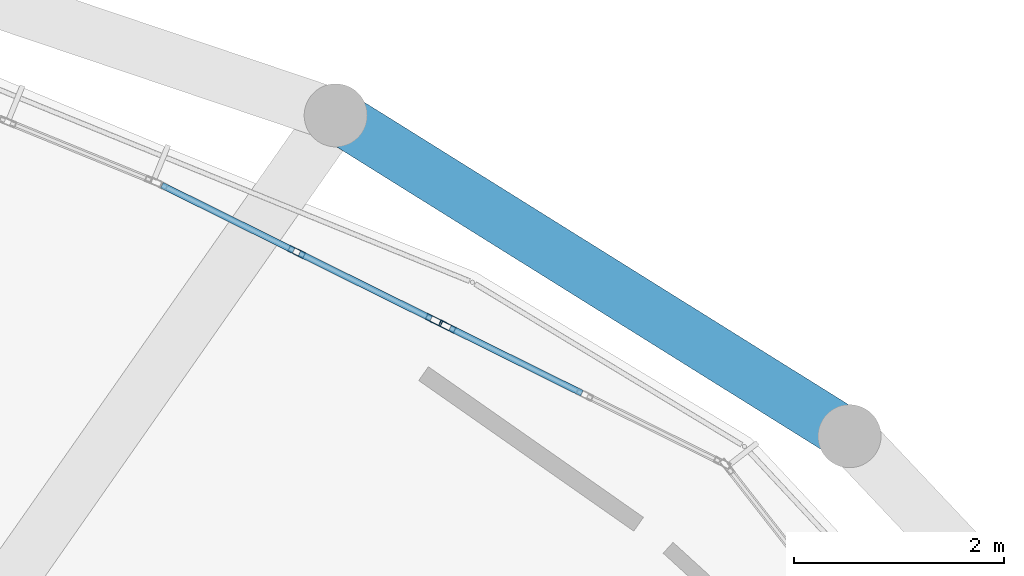
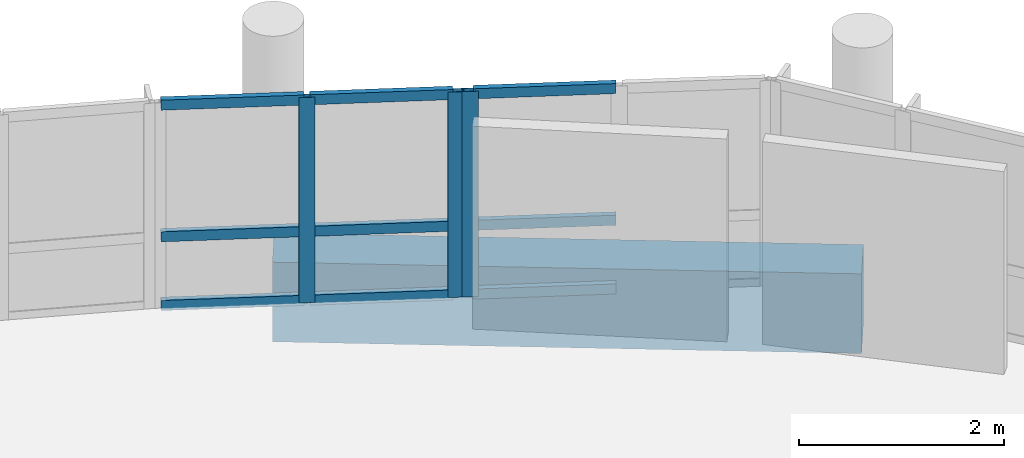
# One storey, part 25 of 43: 12 members, 1 beam, 2 elements without a shape of their own.
"""IFC4 building model written with IfcOpenShell, lengths in metres."""

from ifc_helpers import new_model, si_unit, derived_unit, direction, frame, origin, origin_2d, place, context, subcontext, project, spatial, rectangle, hollow_rectangle, extrude, material, layer, layer_set, material_profile, profile_set, type_object, element, aggregate, save


model = new_model("IFC4")

# Units and contexts
model_context = context("Model", 3, precision=1e-05, world=origin(), true_north=direction((0.0, 1.0)))
body_context = subcontext(model_context, "Body", "Model", "MODEL_VIEW")
ifc_project = project(units=[si_unit("LENGTHUNIT", "METRE"), si_unit("AREAUNIT", "SQUARE_METRE"), si_unit("VOLUMEUNIT", "CUBIC_METRE"), si_unit("PLANEANGLEUNIT", "RADIAN"), si_unit("MASSUNIT", "GRAM", prefix="KILO"), derived_unit("THERMALTRANSMITTANCEUNIT", [(si_unit("POWERUNIT", "WATT"), 1), (si_unit("LENGTHUNIT", "METRE"), -2), (si_unit("THERMODYNAMICTEMPERATUREUNIT", "KELVIN"), -1)])], contexts=[model_context])

# Site, building, storey
site_placement = place(None, origin())
site = spatial("IfcSite", under=ifc_project, at=site_placement, CompositionType="ELEMENT")
building_placement = place(site_placement, origin())
building = spatial("IfcBuilding", under=site, at=building_placement, Name="Elbkamm Science Centre", CompositionType="ELEMENT")
storey_placement = place(building_placement, frame((0.0, 0.0, 18.300048828125)))
storey = spatial("IfcBuildingStorey", under=building, at=storey_placement, Name="L04", CompositionType="ELEMENT", Elevation=18.300048828125)

# Beam
ifc_material_1 = material(Name="Concrete C40/50", Category="concrete")
ifc_material_profile_1 = material_profile(ifc_material_1, rectangle(XDim=0.5, YDim=0.949951171875, at=origin_2d()), Name="RC 500x950")
ifc_profile_set_1 = profile_set([ifc_material_profile_1], Name="Concrete C40/50")
beam_type = type_object("IfcBeamType", Name="BM-RC-500x950", PredefinedType="BEAM", material=ifc_profile_set_1)
beam_placement = place(storey_placement, frame((79.68798828125, 80.77587890625, -0.755126953125), z_axis=(-0.848229099729, 0.529629487824, 0.0), x_axis=(-0.529629487824, -0.848229099729, 0.0)))
element("IfcBeam", 1, at=beam_placement, inside=storey, type_object=beam_type, Name="L04 Elliptical Shell Perimeter Ring Beam 04", PredefinedType="SPANDREL", context=body_context, shape_type="SweptSolid", body=[
    extrude(rectangle(XDim=0.5, YDim=0.949951171875, at=origin_2d()), origin(), (0.0, 0.0, 1.0), 5.762451171875),
])

# Curtain wall, member
ifc_material_2 = material(Name="Powder-coated aluminium and triple low-E glazing", Category="aluminium")
ifc_layer = layer(ifc_material_2, 0.159912109375)
ifc_layer_set = layer_set([ifc_layer], Name="Powder-coated aluminium and triple low-E glazing")
curtain_wall_type = type_object("IfcCurtainWallType", Name="CW-UNIT-2980x2460", PredefinedType="USERDEFINED", material=ifc_layer_set)
curtain_wall_1_placement = place(storey_placement, origin())
curtain_wall_1 = element("IfcCurtainWall", 2, at=curtain_wall_1_placement, inside=storey, type_object=curtain_wall_type, Name="L04 Unitised Curtain Wall 078", ObjectType="UNITISED CURTAIN WALL", PredefinedType="USERDEFINED")
ifc_material_3 = material(Name="Powder-coated aluminium EN AW-6060", Category="aluminium")
ifc_material_profile_2 = material_profile(ifc_material_3, hollow_rectangle(XDim=0.06005859375, YDim=0.159912109375, WallThickness=0.00390625, at=origin_2d()), Name="ALU M60x160")
ifc_profile_set_2 = profile_set([ifc_material_profile_2], Name="Powder-coated aluminium EN AW-6060")
member_type_1 = type_object("IfcMemberType", Name="CW-MUL-60x160", PredefinedType="MULLION", material=ifc_profile_set_2)
member_1_placement = place(storey_placement, frame((75.861328125, 81.818359375, 0.0), z_axis=(0.0, 0.0, 1.0), x_axis=(-0.443839909102, -0.896106095888, 0.0)))
member_1 = element("IfcMember", 3, at=member_1_placement, type_object=member_type_1, Name="CW-035 mullion 3", PredefinedType="MULLION", context=body_context, shape_type="SweptSolid", body=[
    extrude(hollow_rectangle(XDim=0.06005859375, YDim=0.159912109375, WallThickness=0.00390625, at=origin_2d()), origin(), (0.0, 0.0, 1.0), 2.449951171875),
])

# Curtain wall, members
curtain_wall_2_placement = place(storey_placement, origin())
curtain_wall_2 = element("IfcCurtainWall", 4, at=curtain_wall_2_placement, inside=storey, type_object=curtain_wall_type, Name="L04 Unitised Curtain Wall 079", ObjectType="UNITISED CURTAIN WALL", PredefinedType="USERDEFINED")
member_2_placement = place(storey_placement, frame((75.73583984375, 81.880615234375, 0.0), z_axis=(0.0, 0.0, 1.0), x_axis=(-0.443839909102, -0.896106095888, 0.0)))
member_2 = element("IfcMember", 5, at=member_2_placement, type_object=member_type_1, Name="CW-035 mullion 1", PredefinedType="MULLION", context=body_context, shape_type="SweptSolid", body=[
    extrude(hollow_rectangle(XDim=0.06005859375, YDim=0.159912109375, WallThickness=0.00390625, at=origin_2d()), origin(), (0.0, 0.0, 1.0), 2.449951171875),
])
member_3_placement = place(storey_placement, frame((74.427978515625, 82.5283203125, 0.0), z_axis=(0.0, 0.0, 1.0), x_axis=(-0.443839909102, -0.896106095888, 0.0)))
member_3 = element("IfcMember", 6, at=member_3_placement, type_object=member_type_1, Name="CW-035 mullion 2", PredefinedType="MULLION", context=body_context, shape_type="SweptSolid", body=[
    extrude(hollow_rectangle(XDim=0.06005859375, YDim=0.159912109375, WallThickness=0.00390625, at=origin_2d()), origin(), (0.0, 0.0, 1.0), 2.449951171875),
])

# Member
ifc_material_profile_3 = material_profile(ifc_material_3, hollow_rectangle(XDim=0.06005859375, YDim=0.1201171875, WallThickness=0.00341796875, at=origin_2d()), Name="ALU T60x120")
ifc_profile_set_3 = profile_set([ifc_material_profile_3], Name="Powder-coated aluminium EN AW-6060")
member_type_2 = type_object("IfcMemberType", Name="CW-TRN-60x120", PredefinedType="USERDEFINED", material=ifc_profile_set_3)
member_4_placement = place(storey_placement, frame((77.14208984375, 81.18408203125, 0.030029296875), z_axis=(-0.896095863357, 0.443860567831, 0.0), x_axis=(-0.443860567831, -0.896095863357, 0.0)))
member_4 = element("IfcMember", 7, at=member_4_placement, type_object=member_type_2, Name="CW-035 transom 2.1", ObjectType="TRANSOM", PredefinedType="USERDEFINED", context=body_context, shape_type="SweptSolid", body=[
    extrude(hollow_rectangle(XDim=0.06005859375, YDim=0.1201171875, WallThickness=0.00341796875, at=origin_2d()), origin(), (0.0, 0.0, 1.0), 1.3994140625),
])

member_5_placement = place(storey_placement, frame((77.14208984375, 81.18408203125, 0.849853515625), z_axis=(-0.896095863357, 0.443860567831, 0.0), x_axis=(-0.443860567831, -0.896095863357, 0.0)))
member_5 = element("IfcMember", 8, at=member_5_placement, type_object=member_type_2, Name="CW-035 transom 2.2", ObjectType="TRANSOM", PredefinedType="USERDEFINED", context=body_context, shape_type="SweptSolid", body=[
    extrude(hollow_rectangle(XDim=0.06005859375, YDim=0.1201171875, WallThickness=0.00341796875, at=origin_2d()), origin(), (0.0, 0.0, 1.0), 1.3994140625),
])

member_6_placement = place(storey_placement, frame((77.14208984375, 81.18408203125, 2.419921875), z_axis=(-0.896095863357, 0.443860567831, 0.0), x_axis=(-0.443860567831, -0.896095863357, 0.0)))
member_6 = element("IfcMember", 9, at=member_6_placement, type_object=member_type_2, Name="CW-035 transom 2.3", ObjectType="TRANSOM", PredefinedType="USERDEFINED", context=body_context, shape_type="SweptSolid", body=[
    extrude(hollow_rectangle(XDim=0.06005859375, YDim=0.1201171875, WallThickness=0.00341796875, at=origin_2d()), origin(), (0.0, 0.0, 1.0), 1.3994140625),
])

aggregate(curtain_wall_1, [member_1, member_4, member_5, member_6])

member_7_placement = place(storey_placement, frame((75.708984375, 81.89404296875, 0.030029296875), z_axis=(-0.896130228705, 0.443791181979, 0.0), x_axis=(-0.443791181979, -0.896130228705, 0.0)))
member_7 = element("IfcMember", 10, at=member_7_placement, type_object=member_type_2, Name="CW-035 transom 1.1", ObjectType="TRANSOM", PredefinedType="USERDEFINED", context=body_context, shape_type="SweptSolid", body=[
    extrude(hollow_rectangle(XDim=0.06005859375, YDim=0.1201171875, WallThickness=0.00341796875, at=origin_2d()), origin(), (0.0, 0.0, 1.0), 1.3994140625),
])

member_8_placement = place(storey_placement, frame((75.708984375, 81.89404296875, 0.849853515625), z_axis=(-0.896130228705, 0.443791181979, 0.0), x_axis=(-0.443791181979, -0.896130228705, 0.0)))
member_8 = element("IfcMember", 11, at=member_8_placement, type_object=member_type_2, Name="CW-035 transom 1.2", ObjectType="TRANSOM", PredefinedType="USERDEFINED", context=body_context, shape_type="SweptSolid", body=[
    extrude(hollow_rectangle(XDim=0.06005859375, YDim=0.1201171875, WallThickness=0.00341796875, at=origin_2d()), origin(), (0.0, 0.0, 1.0), 1.3994140625),
])

member_9_placement = place(storey_placement, frame((75.708984375, 81.89404296875, 2.419921875), z_axis=(-0.896130228705, 0.443791181979, 0.0), x_axis=(-0.443791181979, -0.896130228705, 0.0)))
member_9 = element("IfcMember", 12, at=member_9_placement, type_object=member_type_2, Name="CW-035 transom 1.3", ObjectType="TRANSOM", PredefinedType="USERDEFINED", context=body_context, shape_type="SweptSolid", body=[
    extrude(hollow_rectangle(XDim=0.06005859375, YDim=0.1201171875, WallThickness=0.00341796875, at=origin_2d()), origin(), (0.0, 0.0, 1.0), 1.3994140625),
])

member_10_placement = place(storey_placement, frame((74.401123046875, 82.541748046875, 0.030029296875), z_axis=(-0.896095863357, 0.443860567831, 0.0), x_axis=(-0.443860567831, -0.896095863357, 0.0)))
member_10 = element("IfcMember", 13, at=member_10_placement, type_object=member_type_2, Name="CW-035 transom 2.1", ObjectType="TRANSOM", PredefinedType="USERDEFINED", context=body_context, shape_type="SweptSolid", body=[
    extrude(hollow_rectangle(XDim=0.06005859375, YDim=0.1201171875, WallThickness=0.00341796875, at=origin_2d()), origin(), (0.0, 0.0, 1.0), 1.3994140625),
])

member_11_placement = place(storey_placement, frame((74.401123046875, 82.541748046875, 0.849853515625), z_axis=(-0.896095863357, 0.443860567831, 0.0), x_axis=(-0.443860567831, -0.896095863357, 0.0)))
member_11 = element("IfcMember", 14, at=member_11_placement, type_object=member_type_2, Name="CW-035 transom 2.2", ObjectType="TRANSOM", PredefinedType="USERDEFINED", context=body_context, shape_type="SweptSolid", body=[
    extrude(hollow_rectangle(XDim=0.06005859375, YDim=0.1201171875, WallThickness=0.00341796875, at=origin_2d()), origin(), (0.0, 0.0, 1.0), 1.3994140625),
])

member_12_placement = place(storey_placement, frame((74.401123046875, 82.541748046875, 2.419921875), z_axis=(-0.896095863357, 0.443860567831, 0.0), x_axis=(-0.443860567831, -0.896095863357, 0.0)))
member_12 = element("IfcMember", 15, at=member_12_placement, type_object=member_type_2, Name="CW-035 transom 2.3", ObjectType="TRANSOM", PredefinedType="USERDEFINED", context=body_context, shape_type="SweptSolid", body=[
    extrude(hollow_rectangle(XDim=0.06005859375, YDim=0.1201171875, WallThickness=0.00341796875, at=origin_2d()), origin(), (0.0, 0.0, 1.0), 1.3994140625),
])

aggregate(curtain_wall_2, [member_2, member_3, member_7, member_8, member_9, member_10, member_11, member_12])

save(model, "model.ifc")
